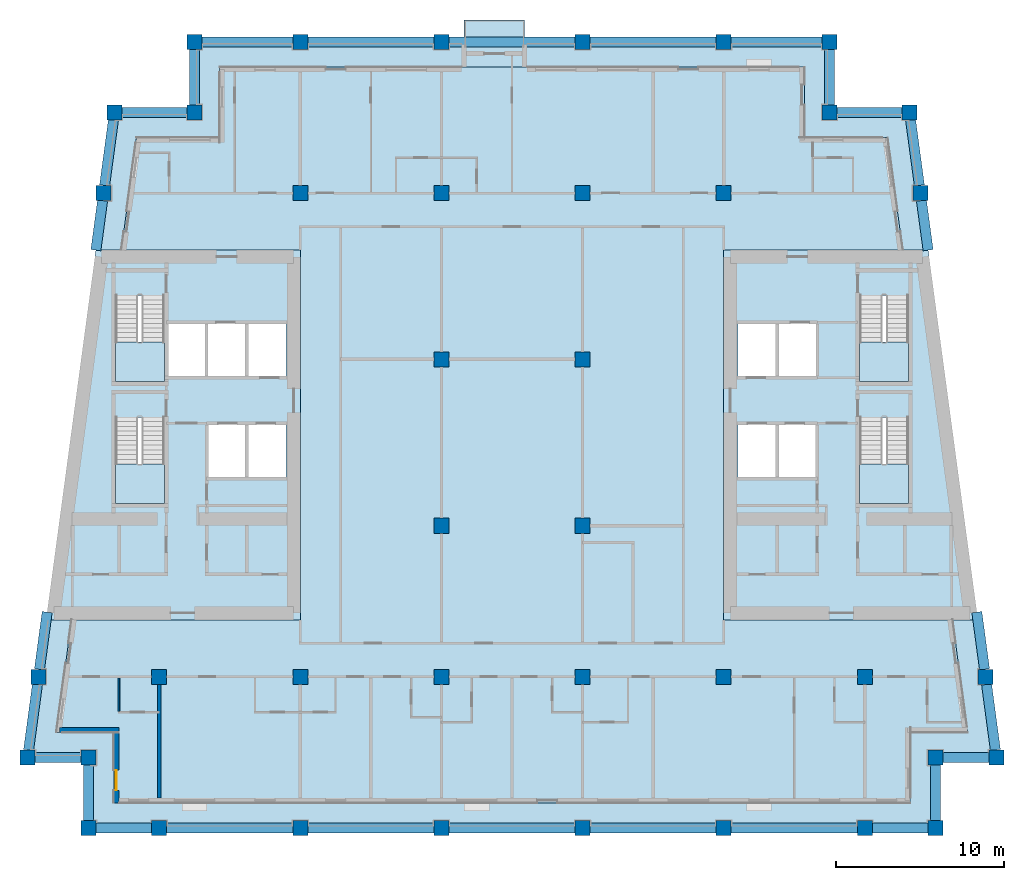
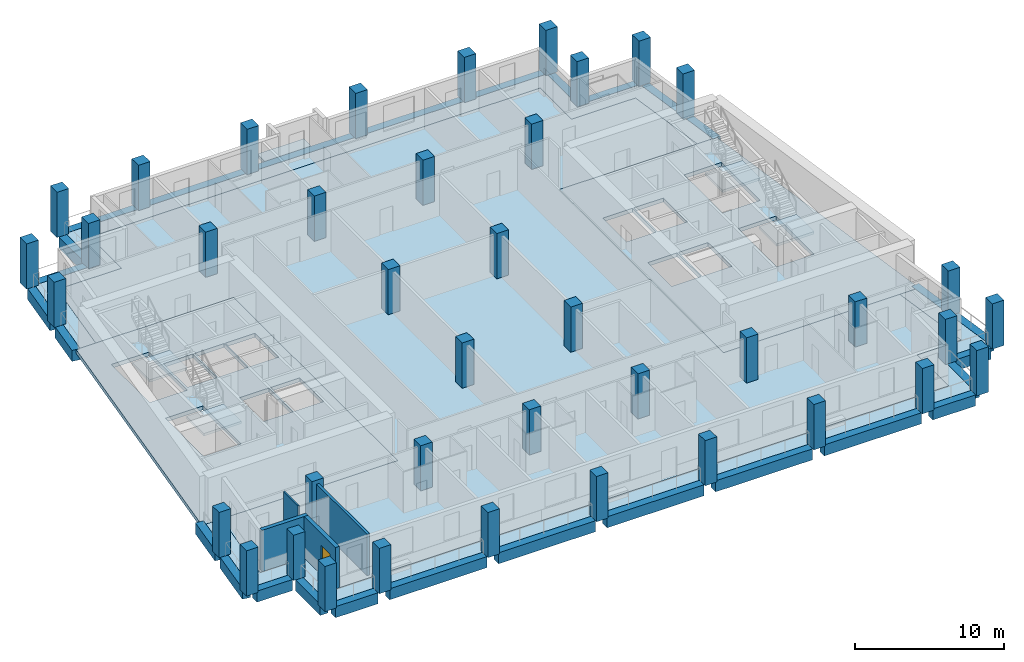
# One storey, part 1 of 13: 40 columns, 28 beams, 10 slabs, 4 walls, 1 door, 1 opening, 4 elements without a shape of their own.
"""IFC4 building model written with IfcOpenShell, lengths in metres."""

from ifc_helpers import new_model, si_unit, direction, frame, frame_2d, origin, origin_2d, place, context, subcontext, project, spatial, polyline, rectangle, outline, extrude, material, layer, layer_set, material_profile, profile_set, type_object, element, fill, aggregate, save


model = new_model("IFC4")

# Units and contexts
model_context = context("Model", 3, precision=1e-05, world=origin(), true_north=direction((0.0, 1.0)))
body_context = subcontext(model_context, "Body", "Model", "MODEL_VIEW")
ifc_project = project(units=[si_unit("LENGTHUNIT", "METRE"), si_unit("AREAUNIT", "SQUARE_METRE"), si_unit("VOLUMEUNIT", "CUBIC_METRE"), si_unit("PLANEANGLEUNIT", "RADIAN"), si_unit("MASSUNIT", "GRAM", prefix="KILO")], contexts=[model_context])

# Site, building, storey
site_placement = place(None, origin())
site = spatial("IfcSite", under=ifc_project, at=site_placement, CompositionType="ELEMENT")
building_placement = place(site_placement, origin())
building = spatial("IfcBuilding", under=site, at=building_placement, Name="Candeia Pilgrim Tower and Theatre", CompositionType="ELEMENT")
storey_placement = place(building_placement, frame((0.0, 0.0, 239.199951171875)))
storey = spatial("IfcBuildingStorey", under=building, at=storey_placement, Name="L58", CompositionType="ELEMENT", Elevation=239.199951171875)

# Columns
ifc_material_1 = material(Name="Concrete C50/60", Category="concrete")
ifc_material_profile_1 = material_profile(ifc_material_1, rectangle(XDim=0.89990234375, YDim=0.89990234375, at=origin_2d()))
ifc_profile_set_1 = profile_set([ifc_material_profile_1], Name="Concrete C50/60")
column_type = type_object("IfcColumnType", Name="RC 900x900 C50/60", PredefinedType="COLUMN", material=ifc_profile_set_1)
for number, where, z_axis, x_axis, name in (
    (1, (92.39990234375, 98.0, 0.0), (0.0, 0.0, 1.0), (1.0, 0.0, 0.0), "Column A1"),
    (2, (100.800048828125, 98.0, 0.0), (0.0, 0.0, 1.0), (1.0, 0.0, 0.0), "Column A2"),
    (3, (109.199951171875, 98.0, 0.0), (0.0, 0.0, 1.0), (1.0, 0.0, 0.0), "Column A3"),
    (4, (117.60009765625, 98.0, 0.0), (0.0, 0.0, 1.0), (1.0, 0.0, 0.0), "Column A4"),
    (5, (126.0, 98.0, 0.0), (0.0, 0.0, 1.0), (1.0, 0.0, 0.0), "Column A5"),
    (6, (134.39990234375, 98.0, 0.0), (0.0, 0.0, 1.0), (1.0, 0.0, 0.0), "Column A6"),
    (7, (88.199951171875, 98.0, 0.0), (0.0, 0.0, 1.0), (1.0, 0.0, 0.0), "Column AW"),
    (8, (138.60009765625, 98.0, 0.0), (0.0, 0.0, 1.0), (1.0, 0.0, 0.0), "Column AE"),
    (9, (88.199951171875, 102.199951171875, 0.0), (0.0, 0.0, 1.0), (1.0, 0.0, 0.0), "Column NSW"),
    (10, (138.60009765625, 102.199951171875, 0.0), (0.0, 0.0, 1.0), (1.0, 0.0, 0.0), "Column NSE"),
    (11, (94.5, 140.60009765625, 0.0), (0.0, 0.0, 1.0), (1.0, 0.0, 0.0), "Column NNW"),
    (12, (132.300048828125, 140.60009765625, 0.0), (0.0, 0.0, 1.0), (1.0, 0.0, 0.0), "Column NNE"),
    (13, (84.5654296875, 102.199951171875, 0.0), (0.0, 0.0, 1.0), (1.0, 0.0, 0.0), "Column LSW"),
    (14, (142.234619140625, 102.199951171875, 0.0), (0.0, 0.0, 1.0), (1.0, 0.0, 0.0), "Column LSE"),
    (15, (89.734619140625, 140.60009765625, 0.0), (0.0, 0.0, 1.0), (1.0, 0.0, 0.0), "Column LNW"),
    (16, (137.0654296875, 140.60009765625, 0.0), (0.0, 0.0, 1.0), (1.0, 0.0, 0.0), "Column LNE"),
    (17, (92.39990234375, 107.0, 0.0), (0.0, 0.0, 1.0), (1.0, 0.0, 0.0), "Column B1"),
    (18, (100.800048828125, 107.0, 0.0), (0.0, 0.0, 1.0), (1.0, 0.0, 0.0), "Column B2"),
    (19, (109.199951171875, 107.0, 0.0), (0.0, 0.0, 1.0), (1.0, 0.0, 0.0), "Column B3"),
    (20, (117.60009765625, 107.0, 0.0), (0.0, 0.0, 1.0), (1.0, 0.0, 0.0), "Column B4"),
    (21, (126.0, 107.0, 0.0), (0.0, 0.0, 1.0), (1.0, 0.0, 0.0), "Column B5"),
    (22, (134.39990234375, 107.0, 0.0), (0.0, 0.0, 1.0), (1.0, 0.0, 0.0), "Column B6"),
    (23, (85.21142578125, 107.0, 0.0), (0.0, 0.0, 1.0), (1.0, 0.0, 0.0), "Column BW"),
    (24, (141.58837890625, 107.0, 0.0), (0.0, 0.0, 1.0), (1.0, 0.0, 0.0), "Column BE"),
    (25, (109.199951171875, 116.0, 0.0), (0.0, 0.0, 1.0), (1.0, 0.0, 0.0), "Column C3"),
    (26, (117.60009765625, 116.0, 0.0), (0.0, 0.0, 1.0), (1.0, 0.0, 0.0), "Column C4"),
    (27, (109.199951171875, 125.89990234375, 0.0), (0.0, 0.0, 1.0), (1.0, 0.0, 0.0), "Column D3"),
    (28, (117.60009765625, 125.89990234375, 0.0), (0.0, 0.0, 1.0), (1.0, 0.0, 0.0), "Column D4"),
    (29, (100.800048828125, 135.800048828125, 0.0), (0.0, 0.0, 1.0), (1.0, 0.0, 0.0), "Column E2"),
    (30, (109.199951171875, 135.800048828125, 0.0), (0.0, 0.0, 1.0), (1.0, 0.0, 0.0), "Column E3"),
    (31, (117.60009765625, 135.800048828125, 0.0), (0.0, 0.0, 1.0), (1.0, 0.0, 0.0), "Column E4"),
    (32, (126.0, 135.800048828125, 0.0), (0.0, 0.0, 1.0), (1.0, 0.0, 0.0), "Column E5"),
    (33, (89.08837890625, 135.800048828125, 0.0), (0.0, 0.0, 1.0), (1.0, 0.0, 0.0), "Column EW"),
    (34, (137.71142578125, 135.800048828125, 0.0), (0.0, 0.0, 1.0), (1.0, 0.0, 0.0), "Column EE"),
    (35, (100.800048828125, 144.800048828125, 0.0), (0.0, 0.0, 1.0), (1.0, 0.0, 0.0), "Column F2"),
    (36, (109.199951171875, 144.800048828125, 0.0), (0.0, 0.0, 1.0), (1.0, 0.0, 0.0), "Column F3"),
    (37, (117.60009765625, 144.800048828125, 0.0), (0.0, 0.0, 1.0), (1.0, 0.0, 0.0), "Column F4"),
    (38, (126.0, 144.800048828125, 0.0), (0.0, 0.0, 1.0), (1.0, 0.0, 0.0), "Column F5"),
    (39, (94.5, 144.800048828125, 0.0), (0.0, 0.0, 1.0), (1.0, 0.0, 0.0), "Column FW"),
    (40, (132.300048828125, 144.800048828125, 0.0), (0.0, 0.0, 1.0), (1.0, 0.0, 0.0), "Column FE"),
):
    element("IfcColumn", number, at=place(storey_placement, frame(where, z_axis=z_axis, x_axis=x_axis)), inside=storey, type_object=column_type, Name=name, PredefinedType="COLUMN", context=body_context, shape_type="SweptSolid", body=[
        extrude(rectangle(XDim=0.89990234375, YDim=0.89990234375, at=origin_2d()), origin(), (0.0, 0.0, 1.0), 3.699951171875),
    ])

# Beams
ifc_material_profile_2 = material_profile(ifc_material_1, rectangle(XDim=0.60009765625, YDim=0.89990234375, at=origin_2d()))
ifc_profile_set_2 = profile_set([ifc_material_profile_2], Name="Concrete C50/60")
beam_type = type_object("IfcBeamType", Name="RC 600x900 C50/60", PredefinedType="BEAM", material=ifc_profile_set_2)
beam_1_placement = place(storey_placement, frame((88.64990234375, 98.0, -0.449951171875), z_axis=(1.0, 0.0, 0.0), x_axis=(0.0, 1.0, 0.0)))
element("IfcBeam", 41, at=beam_1_placement, inside=storey, type_object=beam_type, Name="Spandrel beam L58-01", PredefinedType="BEAM", context=body_context, shape_type="SweptSolid", body=[
    extrude(rectangle(XDim=0.60009765625, YDim=0.89990234375, at=origin_2d()), origin(), (0.0, 0.0, 1.0), 3.300048828125),
])
for number, where, z_axis, x_axis, name in (
    (42, (92.85009765625, 98.0, -0.449951171875), (1.0, 0.0, 0.0), (0.0, 1.0, 0.0), "Spandrel beam L58-02"),
    (43, (101.25, 98.0, -0.449951171875), (1.0, 0.0, 0.0), (0.0, 1.0, 0.0), "Spandrel beam L58-03"),
    (44, (109.64990234375, 98.0, -0.449951171875), (1.0, 0.0, 0.0), (0.0, 1.0, 0.0), "Spandrel beam L58-04"),
    (45, (118.050048828125, 98.0, -0.449951171875), (1.0, 0.0, 0.0), (0.0, 1.0, 0.0), "Spandrel beam L58-05"),
    (46, (126.449951171875, 98.0, -0.449951171875), (1.0, 0.0, 0.0), (0.0, 1.0, 0.0), "Spandrel beam L58-06"),
):
    element("IfcBeam", number, at=place(storey_placement, frame(where, z_axis=z_axis, x_axis=x_axis)), inside=storey, type_object=beam_type, Name=name, PredefinedType="BEAM", context=body_context, shape_type="SweptSolid", body=[
        extrude(rectangle(XDim=0.60009765625, YDim=0.89990234375, at=origin_2d()), origin(), (0.0, 0.0, 1.0), 7.5),
    ])
beam_2_placement = place(storey_placement, frame((134.85009765625, 98.0, -0.449951171875), z_axis=(1.0, 0.0, 0.0), x_axis=(0.0, 1.0, 0.0)))
element("IfcBeam", 47, at=beam_2_placement, inside=storey, type_object=beam_type, Name="Spandrel beam L58-07", PredefinedType="BEAM", context=body_context, shape_type="SweptSolid", body=[
    extrude(rectangle(XDim=0.60009765625, YDim=0.89990234375, at=origin_2d()), origin(), (0.0, 0.0, 1.0), 3.2998046875),
])
beam_3_placement = place(storey_placement, frame((138.60009765625, 98.449951171875, -0.449951171875), z_axis=(0.0, 1.0, 0.0), x_axis=(-1.0, 0.0, 0.0)))
element("IfcBeam", 48, at=beam_3_placement, inside=storey, type_object=beam_type, Name="Spandrel beam L58-08", PredefinedType="BEAM", context=body_context, shape_type="SweptSolid", body=[
    extrude(rectangle(XDim=0.60009765625, YDim=0.89990234375, at=origin_2d()), origin(), (0.0, 0.0, 1.0), 3.300048828125),
])
beam_4_placement = place(storey_placement, frame((139.050048828125, 102.199951171875, -0.449951171875), z_axis=(1.0, 0.0, 0.0), x_axis=(0.0, 1.0, 0.0)))
element("IfcBeam", 49, at=beam_4_placement, inside=storey, type_object=beam_type, Name="Spandrel beam L58-09", PredefinedType="BEAM", context=body_context, shape_type="SweptSolid", body=[
    extrude(rectangle(XDim=0.60009765625, YDim=0.89990234375, at=origin_2d()), origin(), (0.0, 0.0, 1.0), 2.734619140625),
])
beam_5_placement = place(storey_placement, frame((142.174072265625, 102.64990234375, -0.449951171875), z_axis=(-0.133443650757, 0.991056402064, 0.0), x_axis=(-0.991056402064, -0.133443650757, 0.0)))
element("IfcBeam", 50, at=beam_5_placement, inside=storey, type_object=beam_type, Name="Spandrel beam L58-10", PredefinedType="BEAM", context=body_context, shape_type="SweptSolid", body=[
    extrude(rectangle(XDim=0.60009765625, YDim=0.89990234375, at=origin_2d()), origin(), (0.0, 0.0, 1.0), 3.935302734375),
])
beam_6_placement = place(storey_placement, frame((141.52783203125, 107.449951171875, -0.449951171875), z_axis=(-0.133374411439, 0.99106572253, 0.0), x_axis=(-0.99106572253, -0.133374411439, 0.0)))
element("IfcBeam", 51, at=beam_6_placement, inside=storey, type_object=beam_type, Name="Spandrel beam L58-11", PredefinedType="BEAM", context=body_context, shape_type="SweptSolid", body=[
    extrude(rectangle(XDim=0.60009765625, YDim=0.89990234375, at=origin_2d()), origin(), (0.0, 0.0, 1.0), 3.43408203125),
])
beam_7_placement = place(storey_placement, frame((138.169189453125, 132.39990234375, -0.449951171875), z_axis=(-0.133356242983, 0.991068167412, 0.0), x_axis=(-0.991068167412, -0.133356242983, 0.0)))
element("IfcBeam", 52, at=beam_7_placement, inside=storey, type_object=beam_type, Name="Spandrel beam L58-12", PredefinedType="BEAM", context=body_context, shape_type="SweptSolid", body=[
    extrude(rectangle(XDim=0.60009765625, YDim=0.89990234375, at=origin_2d()), origin(), (0.0, 0.0, 1.0), 2.976806640625),
])
beam_8_placement = place(storey_placement, frame((137.65087890625, 136.25, -0.449951171875), z_axis=(-0.133390918184, 0.991063500965, 0.0), x_axis=(-0.991063500965, -0.133390918184, 0.0)))
element("IfcBeam", 53, at=beam_8_placement, inside=storey, type_object=beam_type, Name="Spandrel beam L58-13", PredefinedType="BEAM", context=body_context, shape_type="SweptSolid", body=[
    extrude(rectangle(XDim=0.60009765625, YDim=0.89990234375, at=origin_2d()), origin(), (0.0, 0.0, 1.0), 3.93505859375),
])
beam_9_placement = place(storey_placement, frame((136.615478515625, 140.60009765625, -0.449951171875), z_axis=(-1.0, 0.0, 0.0), x_axis=(0.0, -1.0, 0.0)))
element("IfcBeam", 54, at=beam_9_placement, inside=storey, type_object=beam_type, Name="Spandrel beam L58-14", PredefinedType="BEAM", context=body_context, shape_type="SweptSolid", body=[
    extrude(rectangle(XDim=0.60009765625, YDim=0.89990234375, at=origin_2d()), origin(), (0.0, 0.0, 1.0), 3.865478515625),
])
beam_10_placement = place(storey_placement, frame((132.300048828125, 141.050048828125, -0.449951171875), z_axis=(0.0, 1.0, 0.0), x_axis=(-1.0, 0.0, 0.0)))
element("IfcBeam", 55, at=beam_10_placement, inside=storey, type_object=beam_type, Name="Spandrel beam L58-15", PredefinedType="BEAM", context=body_context, shape_type="SweptSolid", body=[
    extrude(rectangle(XDim=0.60009765625, YDim=0.89990234375, at=origin_2d()), origin(), (0.0, 0.0, 1.0), 3.300048828125),
])
beam_11_placement = place(storey_placement, frame((131.85009765625, 144.800048828125, -0.449951171875), z_axis=(-1.0, 0.0, 0.0), x_axis=(0.0, -1.0, 0.0)))
element("IfcBeam", 56, at=beam_11_placement, inside=storey, type_object=beam_type, Name="Spandrel beam L58-16", PredefinedType="BEAM", context=body_context, shape_type="SweptSolid", body=[
    extrude(rectangle(XDim=0.60009765625, YDim=0.89990234375, at=origin_2d()), origin(), (0.0, 0.0, 1.0), 5.400146484375),
])
for number, where, z_axis, x_axis, name in (
    (57, (125.550048828125, 144.800048828125, -0.449951171875), (-1.0, 0.0, 0.0), (0.0, -1.0, 0.0), "Spandrel beam L58-17"),
    (58, (117.14990234375, 144.800048828125, -0.449951171875), (-1.0, 0.0, 0.0), (0.0, -1.0, 0.0), "Spandrel beam L58-18"),
    (59, (108.75, 144.800048828125, -0.449951171875), (-1.0, 0.0, 0.0), (0.0, -1.0, 0.0), "Spandrel beam L58-19"),
):
    element("IfcBeam", number, at=place(storey_placement, frame(where, z_axis=z_axis, x_axis=x_axis)), inside=storey, type_object=beam_type, Name=name, PredefinedType="BEAM", context=body_context, shape_type="SweptSolid", body=[
        extrude(rectangle(XDim=0.60009765625, YDim=0.89990234375, at=origin_2d()), origin(), (0.0, 0.0, 1.0), 7.5),
    ])
beam_12_placement = place(storey_placement, frame((100.35009765625, 144.800048828125, -0.449951171875), z_axis=(-1.0, 0.0, 0.0), x_axis=(0.0, -1.0, 0.0)))
element("IfcBeam", 60, at=beam_12_placement, inside=storey, type_object=beam_type, Name="Spandrel beam L58-20", PredefinedType="BEAM", context=body_context, shape_type="SweptSolid", body=[
    extrude(rectangle(XDim=0.60009765625, YDim=0.89990234375, at=origin_2d()), origin(), (0.0, 0.0, 1.0), 5.400146484375),
])
beam_13_placement = place(storey_placement, frame((94.5, 144.35009765625, -0.449951171875), z_axis=(0.0, -1.0, 0.0), x_axis=(1.0, 0.0, 0.0)))
element("IfcBeam", 61, at=beam_13_placement, inside=storey, type_object=beam_type, Name="Spandrel beam L58-21", PredefinedType="BEAM", context=body_context, shape_type="SweptSolid", body=[
    extrude(rectangle(XDim=0.60009765625, YDim=0.89990234375, at=origin_2d()), origin(), (0.0, 0.0, 1.0), 3.300048828125),
])
beam_14_placement = place(storey_placement, frame((94.050048828125, 140.60009765625, -0.449951171875), z_axis=(-1.0, 0.0, 0.0), x_axis=(0.0, -1.0, 0.0)))
element("IfcBeam", 62, at=beam_14_placement, inside=storey, type_object=beam_type, Name="Spandrel beam L58-22", PredefinedType="BEAM", context=body_context, shape_type="SweptSolid", body=[
    extrude(rectangle(XDim=0.60009765625, YDim=0.89990234375, at=origin_2d()), origin(), (0.0, 0.0, 1.0), 3.865478515625),
])
beam_15_placement = place(storey_placement, frame((89.674072265625, 140.14990234375, -0.449951171875), z_axis=(-0.133451855788, -0.99105529724, 0.0), x_axis=(0.99105529724, -0.133451855788, 0.0)))
element("IfcBeam", 63, at=beam_15_placement, inside=storey, type_object=beam_type, Name="Spandrel beam L58-23", PredefinedType="BEAM", context=body_context, shape_type="SweptSolid", body=[
    extrude(rectangle(XDim=0.60009765625, YDim=0.89990234375, at=origin_2d()), origin(), (0.0, 0.0, 1.0), 3.93505859375),
])
beam_16_placement = place(storey_placement, frame((89.02783203125, 135.35009765625, -0.449951171875), z_axis=(-0.133356242983, -0.991068167412, 0.0), x_axis=(0.991068167412, -0.133356242983, 0.0)))
element("IfcBeam", 64, at=beam_16_placement, inside=storey, type_object=beam_type, Name="Spandrel beam L58-24", PredefinedType="BEAM", context=body_context, shape_type="SweptSolid", body=[
    extrude(rectangle(XDim=0.60009765625, YDim=0.89990234375, at=origin_2d()), origin(), (0.0, 0.0, 1.0), 2.976806640625),
])
beam_17_placement = place(storey_placement, frame((85.730224609375, 110.853271484375, -0.449951171875), z_axis=(-0.133374411439, -0.99106572253, 0.0), x_axis=(0.99106572253, -0.133374411439, 0.0)))
element("IfcBeam", 65, at=beam_17_placement, inside=storey, type_object=beam_type, Name="Spandrel beam L58-25", PredefinedType="BEAM", context=body_context, shape_type="SweptSolid", body=[
    extrude(rectangle(XDim=0.60009765625, YDim=0.89990234375, at=origin_2d()), origin(), (0.0, 0.0, 1.0), 3.43408203125),
])
beam_18_placement = place(storey_placement, frame((85.15087890625, 106.550048828125, -0.449951171875), z_axis=(-0.133382716764, -0.991064604791, 0.0), x_axis=(0.991064604791, -0.133382716764, 0.0)))
element("IfcBeam", 66, at=beam_18_placement, inside=storey, type_object=beam_type, Name="Spandrel beam L58-26", PredefinedType="BEAM", context=body_context, shape_type="SweptSolid", body=[
    extrude(rectangle(XDim=0.60009765625, YDim=0.89990234375, at=origin_2d()), origin(), (0.0, 0.0, 1.0), 3.935302734375),
])
beam_19_placement = place(storey_placement, frame((85.015380859375, 102.199951171875, -0.449951171875), z_axis=(1.0, 0.0, 0.0), x_axis=(0.0, 1.0, 0.0)))
element("IfcBeam", 67, at=beam_19_placement, inside=storey, type_object=beam_type, Name="Spandrel beam L58-27", PredefinedType="BEAM", context=body_context, shape_type="SweptSolid", body=[
    extrude(rectangle(XDim=0.60009765625, YDim=0.89990234375, at=origin_2d()), origin(), (0.0, 0.0, 1.0), 2.734619140625),
])
beam_20_placement = place(storey_placement, frame((88.199951171875, 101.75, -0.449951171875), z_axis=(0.0, -1.0, 0.0), x_axis=(1.0, 0.0, 0.0)))
element("IfcBeam", 68, at=beam_20_placement, inside=storey, type_object=beam_type, Name="Spandrel beam L58-28", PredefinedType="BEAM", context=body_context, shape_type="SweptSolid", body=[
    extrude(rectangle(XDim=0.60009765625, YDim=0.89990234375, at=origin_2d()), origin(), (0.0, 0.0, 1.0), 3.300048828125),
])

# Slabs
ifc_material_2 = material(Name="Concrete C40/50", Category="concrete")
ifc_layer_1 = layer(ifc_material_2, 0.25)
ifc_layer_set_1 = layer_set([ifc_layer_1], Name="BK1 balcony slab 250")
slab_type_1 = type_object("IfcSlabType", Name="BK1 balcony slab 250", PredefinedType="USERDEFINED", material=ifc_layer_set_1)
slab_1_placement = place(storey_placement, frame((0.0, 0.0, -0.25)))
element("IfcSlab", 69, at=slab_1_placement, inside=storey, type_object=slab_type_1, Name="Balcony L58", ObjectType="BALCONY", PredefinedType="USERDEFINED", context=body_context, shape_type="SweptSolid", body=[
    extrude(outline(polyline([(110.550048828125, 144.5), (114.14990234375, 144.5), (114.14990234375, 146.10009765625), (110.550048828125, 146.10009765625), (110.550048828125, 144.5)])), origin(), (0.0, 0.0, 1.0), 0.25),
])
ifc_material_3 = material(Name="Concrete C60/75", Category="concrete")
ifc_layer_2 = layer(ifc_material_3, 0.320068359375)
ifc_layer_set_2 = layer_set([ifc_layer_2], Name="FS-CORE 320 core floor")
slab_type_2 = type_object("IfcSlabType", Name="FS-CORE 320 core floor", PredefinedType="FLOOR", material=ifc_layer_set_2)
slab_2_placement = place(storey_placement, frame((0.0, 0.0, -0.320068359375)))
element("IfcSlab", 70, at=slab_2_placement, inside=storey, type_object=slab_type_2, Name="Core floor W L58", PredefinedType="FLOOR", context=body_context, shape_type="SweptSolid", body=[
    extrude(outline(polyline([(100.800048828125, 132.39990234375), (100.800048828125, 110.39990234375), (85.669189453125, 110.39990234375), (88.630859375, 132.39990234375), (100.800048828125, 132.39990234375)]), holes=[polyline([(97.658935546875, 128.050048828125), (97.658935546875, 124.85009765625), (99.949951171875, 124.85009765625), (99.949951171875, 128.050048828125), (97.658935546875, 128.050048828125)]), polyline([(97.66357421875, 122.050048828125), (97.66357421875, 118.85009765625), (99.949951171875, 118.85009765625), (99.949951171875, 122.050048828125), (97.66357421875, 122.050048828125)]), polyline([(95.277099609375, 122.050048828125), (95.277099609375, 118.85009765625), (97.5634765625, 118.85009765625), (97.5634765625, 122.050048828125), (95.277099609375, 122.050048828125)]), polyline([(95.26806640625, 128.050048828125), (95.26806640625, 124.85009765625), (97.55908203125, 124.85009765625), (97.55908203125, 128.050048828125), (95.26806640625, 128.050048828125)]), polyline([(92.876953125, 128.050048828125), (92.876953125, 124.85009765625), (95.16796875, 124.85009765625), (95.16796875, 128.050048828125), (92.876953125, 128.050048828125)]), polyline([(89.802001953125, 117.324951171875), (92.701904296875, 117.324951171875), (92.701904296875, 122.455078125), (89.802001953125, 122.455078125), (89.802001953125, 117.324951171875)]), polyline([(89.802001953125, 129.705078125), (89.802001953125, 124.574951171875), (92.701904296875, 124.574951171875), (92.701904296875, 129.705078125), (89.802001953125, 129.705078125)])]), origin(), (0.0, 0.0, 1.0), 0.320068359375),
])
slab_3_placement = place(storey_placement, frame((0.0, 0.0, -0.320068359375)))
element("IfcSlab", 71, at=slab_3_placement, inside=storey, type_object=slab_type_2, Name="Core floor E L58", PredefinedType="FLOOR", context=body_context, shape_type="SweptSolid", body=[
    extrude(outline(polyline([(138.169189453125, 132.39990234375), (141.130859375, 110.39990234375), (126.0, 110.39990234375), (126.0, 132.39990234375), (138.169189453125, 132.39990234375)]), holes=[polyline([(134.097900390625, 117.324951171875), (136.998046875, 117.324951171875), (136.998046875, 122.455078125), (134.097900390625, 122.455078125), (134.097900390625, 117.324951171875)]), polyline([(134.097900390625, 129.705078125), (134.097900390625, 124.574951171875), (136.998046875, 124.574951171875), (136.998046875, 129.705078125), (134.097900390625, 129.705078125)]), polyline([(131.531982421875, 128.050048828125), (129.240966796875, 128.050048828125), (129.240966796875, 124.85009765625), (131.531982421875, 124.85009765625), (131.531982421875, 128.050048828125)]), polyline([(131.52294921875, 122.050048828125), (129.236572265625, 122.050048828125), (129.236572265625, 118.85009765625), (131.52294921875, 118.85009765625), (131.52294921875, 122.050048828125)]), polyline([(126.85009765625, 128.050048828125), (126.85009765625, 124.85009765625), (129.14111328125, 124.85009765625), (129.14111328125, 128.050048828125), (126.85009765625, 128.050048828125)]), polyline([(129.136474609375, 122.050048828125), (126.85009765625, 122.050048828125), (126.85009765625, 118.85009765625), (129.136474609375, 118.85009765625), (129.136474609375, 122.050048828125)])]), origin(), (0.0, 0.0, 1.0), 0.320068359375),
])
ifc_layer_3 = layer(ifc_material_1, 0.320068359375)
ifc_layer_set_3 = layer_set([ifc_layer_3], Name="Floor slab 320 C50/60")
slab_type_3 = type_object("IfcSlabType", Name="Floor slab 320 C50/60", PredefinedType="FLOOR", material=ifc_layer_set_3)
slab_4_placement = place(storey_placement, frame((0.0, 0.0, -0.320068359375)))
element("IfcSlab", 72, at=slab_4_placement, inside=storey, type_object=slab_type_3, Name="Floor slab L58", PredefinedType="FLOOR", context=body_context, shape_type="SweptSolid", body=[
    extrude(outline(polyline([(96.0, 139.10009765625), (96.0, 143.300048828125), (130.800048828125, 143.300048828125), (130.800048828125, 139.10009765625), (135.753662109375, 139.10009765625), (136.65576171875, 132.39990234375), (126.0, 132.39990234375), (126.0, 110.39990234375), (139.6171875, 110.39990234375), (140.51904296875, 103.699951171875), (137.10009765625, 103.699951171875), (137.10009765625, 99.5), (89.699951171875, 99.5), (89.699951171875, 103.699951171875), (86.28076171875, 103.699951171875), (87.182861328125, 110.39990234375), (100.800048828125, 110.39990234375), (100.800048828125, 132.39990234375), (90.144287109375, 132.39990234375), (91.046142578125, 139.10009765625), (96.0, 139.10009765625)])), origin(), (0.0, 0.0, 1.0), 0.320068359375),
])
ifc_layer_4 = layer(ifc_material_2, 0.25)
ifc_layer_set_4 = layer_set([ifc_layer_4], Name="Loggia slab 250 C40/50")
slab_type_4 = type_object("IfcSlabType", Name="Loggia slab 250 C40/50", PredefinedType="FLOOR", material=ifc_layer_set_4)
slab_5_placement = place(storey_placement, frame((0.0, 0.0, -0.25)))
element("IfcSlab", 73, at=slab_5_placement, inside=storey, type_object=slab_type_4, Name="Loggia slab L58 1", PredefinedType="FLOOR", context=body_context, shape_type="SweptSolid", body=[
    extrude(outline(polyline([(87.182861328125, 110.39990234375), (86.28076171875, 103.699951171875), (89.699951171875, 103.699951171875), (89.699951171875, 99.5), (137.10009765625, 99.5), (137.10009765625, 103.699951171875), (140.51904296875, 103.699951171875), (139.6171875, 110.39990234375), (140.828125, 110.39990234375), (141.8916015625, 102.5), (138.300048828125, 102.5), (138.300048828125, 98.300048828125), (88.5, 98.300048828125), (88.5, 102.5), (84.908447265625, 102.5), (85.971923828125, 110.39990234375), (87.182861328125, 110.39990234375)])), origin(), (0.0, 0.0, 1.0), 0.25),
])
slab_6_placement = place(storey_placement, frame((0.0, 0.0, -0.25)))
element("IfcSlab", 74, at=slab_6_placement, inside=storey, type_object=slab_type_4, Name="Loggia slab L58 2", PredefinedType="FLOOR", context=body_context, shape_type="SweptSolid", body=[
    extrude(outline(polyline([(136.65576171875, 132.39990234375), (135.753662109375, 139.10009765625), (130.800048828125, 139.10009765625), (130.800048828125, 143.300048828125), (96.0, 143.300048828125), (96.0, 139.10009765625), (91.046142578125, 139.10009765625), (90.144287109375, 132.39990234375), (88.93359375, 132.39990234375), (89.996826171875, 140.300048828125), (94.800048828125, 140.300048828125), (94.800048828125, 144.5), (132.0, 144.5), (132.0, 140.300048828125), (136.802978515625, 140.300048828125), (137.866455078125, 132.39990234375), (136.65576171875, 132.39990234375)])), origin(), (0.0, 0.0, 1.0), 0.25),
])

# Stair, slab
stair_type = type_object("IfcStairType", Name="ST-TWR dog-leg escape stair", PredefinedType="HALF_TURN_STAIR", material=ifc_material_2)
stair_1_placement = place(storey_placement, origin())
stair_1 = element("IfcStair", 75, at=stair_1_placement, inside=storey, type_object=stair_type, Name="L58 Escape stair ST1", PredefinedType="HALF_TURN_STAIR")
ifc_layer_5 = layer(ifc_material_2, 0.199951171875)
ifc_layer_set_5 = layer_set([ifc_layer_5], Name="SL-LANDING stair landing")
slab_type_5 = type_object("IfcSlabType", Name="SL-LANDING stair landing", PredefinedType="LANDING", material=ifc_layer_set_5)
slab_7_placement = place(storey_placement, frame((0.0, 0.0, 1.650146484375)))
slab_7 = element("IfcSlab", 76, at=slab_7_placement, type_object=slab_type_5, Name="ST1 landing 1", PredefinedType="LANDING", context=body_context, shape_type="SweptSolid", body=[
    extrude(outline(polyline([(89.802001953125, 119.675048828125), (89.802001953125, 117.324951171875), (92.701904296875, 117.324951171875), (92.701904296875, 119.675048828125), (89.802001953125, 119.675048828125)])), origin(), (0.0, 0.0, 1.0), 0.199951171875),
])
aggregate(stair_1, [slab_7])

stair_2_placement = place(storey_placement, origin())
stair_2 = element("IfcStair", 77, at=stair_2_placement, inside=storey, type_object=stair_type, Name="L58 Escape stair ST2", PredefinedType="HALF_TURN_STAIR")
slab_8_placement = place(storey_placement, frame((0.0, 0.0, 1.650146484375)))
slab_8 = element("IfcSlab", 78, at=slab_8_placement, type_object=slab_type_5, Name="ST2 landing 1", PredefinedType="LANDING", context=body_context, shape_type="SweptSolid", body=[
    extrude(outline(polyline([(89.802001953125, 126.925048828125), (89.802001953125, 124.574951171875), (92.701904296875, 124.574951171875), (92.701904296875, 126.925048828125), (89.802001953125, 126.925048828125)])), origin(), (0.0, 0.0, 1.0), 0.199951171875),
])
aggregate(stair_2, [slab_8])

stair_3_placement = place(storey_placement, origin())
stair_3 = element("IfcStair", 79, at=stair_3_placement, inside=storey, type_object=stair_type, Name="L58 Escape stair ST3", PredefinedType="HALF_TURN_STAIR")
slab_9_placement = place(storey_placement, frame((0.0, 0.0, 1.650146484375)))
slab_9 = element("IfcSlab", 80, at=slab_9_placement, type_object=slab_type_5, Name="ST3 landing 1", PredefinedType="LANDING", context=body_context, shape_type="SweptSolid", body=[
    extrude(outline(polyline([(134.097900390625, 119.675048828125), (134.097900390625, 117.324951171875), (136.998046875, 117.324951171875), (136.998046875, 119.675048828125), (134.097900390625, 119.675048828125)])), origin(), (0.0, 0.0, 1.0), 0.199951171875),
])
aggregate(stair_3, [slab_9])

stair_4_placement = place(storey_placement, origin())
stair_4 = element("IfcStair", 81, at=stair_4_placement, inside=storey, type_object=stair_type, Name="L58 Escape stair ST4", PredefinedType="HALF_TURN_STAIR")
slab_10_placement = place(storey_placement, frame((0.0, 0.0, 1.650146484375)))
slab_10 = element("IfcSlab", 82, at=slab_10_placement, type_object=slab_type_5, Name="ST4 landing 1", PredefinedType="LANDING", context=body_context, shape_type="SweptSolid", body=[
    extrude(outline(polyline([(134.097900390625, 126.925048828125), (134.097900390625, 124.574951171875), (136.998046875, 124.574951171875), (136.998046875, 126.925048828125), (134.097900390625, 126.925048828125)])), origin(), (0.0, 0.0, 1.0), 0.199951171875),
])
aggregate(stair_4, [slab_10])

# Wall
ifc_material_4 = material(Name="Ceramic block masonry", Category="masonry")
ifc_layer_6 = layer(ifc_material_4, 0.300048828125)
ifc_layer_set_6 = layer_set([ifc_layer_6], Name="EW1 glazing-line wall 300")
wall_type_1 = type_object("IfcWallType", Name="EW1 glazing-line wall 300", PredefinedType="SOLIDWALL", material=ifc_layer_set_6)
wall_1_placement = place(storey_placement, frame((86.452392578125, 103.85009765625, 0.0), z_axis=(0.0, 0.0, 1.0), x_axis=(1.0, 0.0, 0.0)))
element("IfcWall", 83, at=wall_1_placement, inside=storey, type_object=wall_type_1, Name="External wall L58-10.0", PredefinedType="SOLIDWALL", context=body_context, shape_type="SweptSolid", body=[
    extrude(rectangle(XDim=3.547607421875, YDim=0.300048828125, at=frame_2d((1.77392578125, 0.0))), origin(), (0.0, 0.0, 1.0), 3.380126953125),
])

# Wall, opening, door
wall_2_placement = place(storey_placement, frame((89.85009765625, 103.85009765625, 0.0), z_axis=(0.0, 0.0, 1.0), x_axis=(0.0, -1.0, 0.0)))
wall_2 = element("IfcWall", 84, at=wall_2_placement, inside=storey, type_object=wall_type_1, Name="External wall L58-11.0", PredefinedType="SOLIDWALL", context=body_context, shape_type="SweptSolid", body=[
    extrude(rectangle(XDim=4.35009765625, YDim=0.300048828125, at=frame_2d((2.175048828125, 0.0))), origin(), (0.0, 0.0, 1.0), 3.380126953125),
])
opening_placement = place(wall_2_placement, frame((2.39990234375, 0.0, 0.0)))
opening = element("IfcOpeningElement", 85, at=opening_placement, cuts=wall_2, Name="Opening L58-ED566", PredefinedType="OPENING", context=body_context, shape_type="SweptSolid", body=[
    extrude(rectangle(XDim=1.199951171875, YDim=2.39990234375, at=frame_2d((0.60009765625, 1.199951171875))), frame((0.0, 0.16015625, 0.0), z_axis=(0.0, -1.0, 0.0), x_axis=(1.0, 0.0, 0.0)), (0.0, 0.0, 1.0), 0.320068359375),
])
ifc_material_5 = material(Name="Aluminium framed glazed door", Category="aluminium")
door_type = type_object("IfcDoorType", Name="Loggia door 1200x2400", OperationType="DOUBLE_DOOR_SINGLE_SWING", PredefinedType="DOOR", material=ifc_material_5)
door_placement = place(opening_placement, origin())
door = element("IfcDoor", 86, at=door_placement, inside=storey, type_object=door_type, Name="Loggia door L58-ED566", OperationType="DOUBLE_DOOR_SINGLE_SWING", OverallHeight=2.39990234375, OverallWidth=1.199951171875, PredefinedType="DOOR", context=body_context, shape_type="SweptSolid", body=[
    extrude(rectangle(XDim=1.199951171875, YDim=2.39990234375, at=frame_2d((0.60009765625, 1.199951171875))), frame((0.0, 0.02490234375, 0.0), z_axis=(0.0, -1.0, 0.0), x_axis=(1.0, 0.0, 0.0)), (0.0, 0.0, 1.0), 0.050048828125),
])
fill(opening, door)

# Walls
ifc_material_6 = material(Name="Gypsum board partition on steel studs", Category="steel")
ifc_layer_7 = layer(ifc_material_6, 0.10009765625)
ifc_layer_set_7 = layer_set([ifc_layer_7], Name="PW-100 room partition")
wall_type_2 = type_object("IfcWallType", Name="PW-100 room partition", PredefinedType="PARTITIONING", material=ifc_layer_set_7)
wall_3_placement = place(storey_placement, frame((90.0, 104.949951171875, 0.0), z_axis=(0.0, 0.0, 1.0), x_axis=(0.0, 1.0, 0.0)))
element("IfcWall", 87, at=wall_3_placement, inside=storey, type_object=wall_type_2, Name="Room partition L58-051", PredefinedType="PARTITIONING", context=body_context, shape_type="SweptSolid", body=[
    extrude(rectangle(XDim=1.97509765625, YDim=0.10009765625, at=frame_2d((0.987548828125, 0.0))), origin(), (0.0, 0.0, 1.0), 3.380126953125),
])
ifc_layer_8 = layer(ifc_material_6, 0.199951171875)
ifc_layer_set_8 = layer_set([ifc_layer_8], Name="PW-200 party wall")
wall_type_3 = type_object("IfcWallType", Name="PW-200 party wall", PredefinedType="PARTITIONING", material=ifc_layer_set_8)
wall_4_placement = place(storey_placement, frame((92.39990234375, 99.7900390625, 0.0), z_axis=(0.0, 0.0, 1.0), x_axis=(0.0, 1.0, 0.0)))
element("IfcWall", 88, at=wall_4_placement, inside=storey, type_object=wall_type_3, Name="Party wall L58-053", PredefinedType="PARTITIONING", context=body_context, shape_type="SweptSolid", body=[
    extrude(rectangle(XDim=7.135009765625, YDim=0.199951171875, at=frame_2d((3.5673828125, 0.0))), origin(), (0.0, 0.0, 1.0), 3.380126953125),
])

save(model, "model.ifc")
